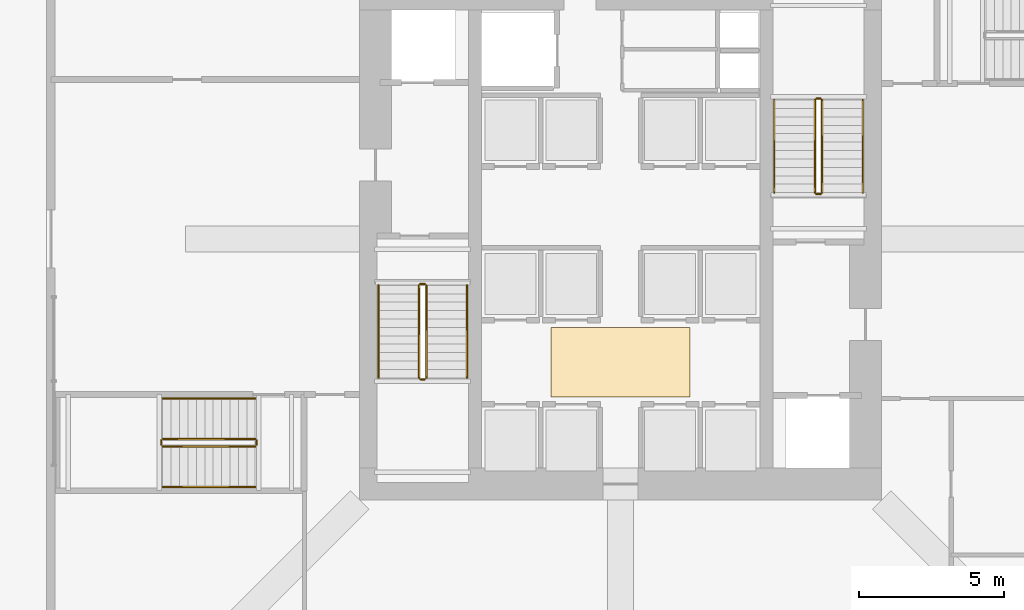
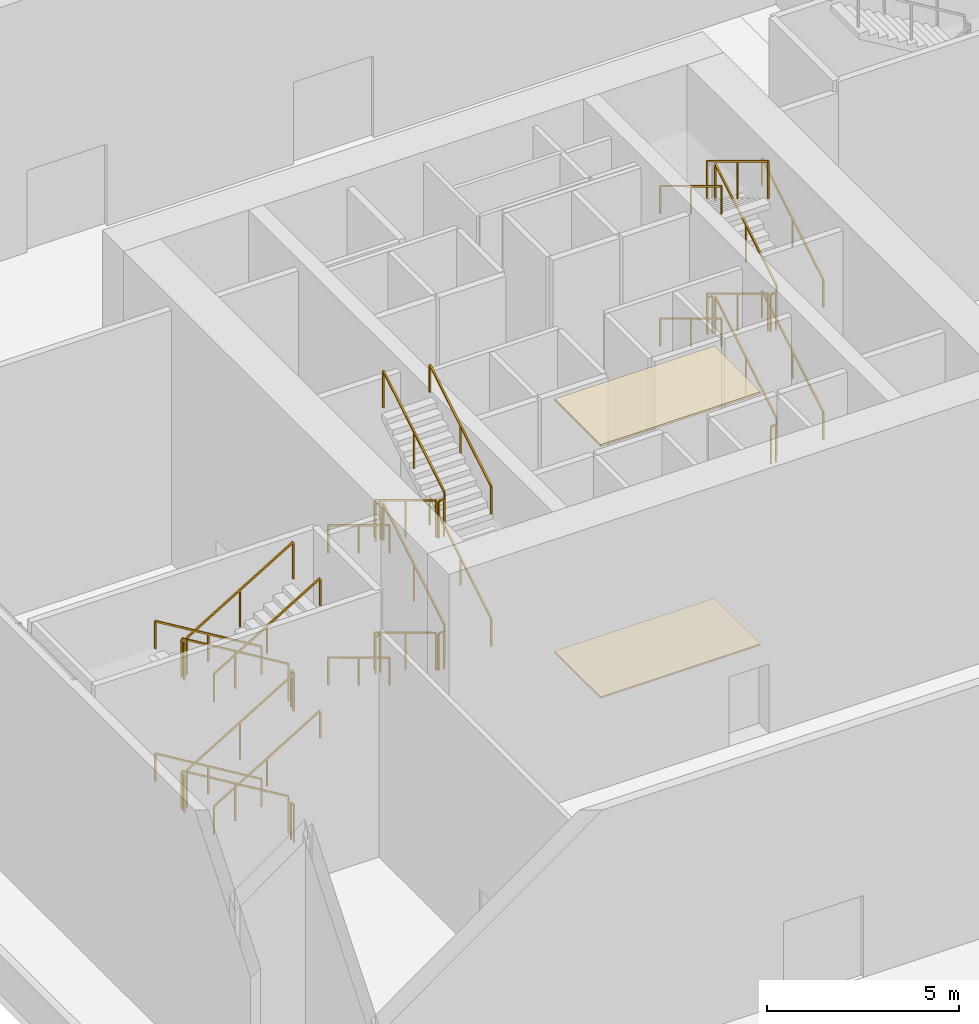
# One storey, part 10 of 12: 35 railings, 2 coverings.
"""IFC4 building model written with IfcOpenShell, lengths in metres."""

from ifc_helpers import new_model, si_unit, direction, frame, origin, origin_2d, place, context, subcontext, project, spatial, polyline, rectangle, outline, extrude, material, layer, layer_set, type_object, element, save


model = new_model("IFC4")

# Units and contexts
model_context = context("Model", 3, precision=1e-05, world=origin(), true_north=direction((0.0, 1.0)))
body_context = subcontext(model_context, "Body", "Model", "MODEL_VIEW")
ifc_project = project(units=[si_unit("LENGTHUNIT", "METRE"), si_unit("AREAUNIT", "SQUARE_METRE"), si_unit("VOLUMEUNIT", "CUBIC_METRE"), si_unit("PLANEANGLEUNIT", "RADIAN"), si_unit("MASSUNIT", "GRAM", prefix="KILO")], contexts=[model_context])

# Site, building, storey
site_placement = place(None, origin())
site = spatial("IfcSite", under=ifc_project, at=site_placement, CompositionType="ELEMENT")
building_placement = place(site_placement, origin())
building = spatial("IfcBuilding", under=site, at=building_placement, Name="Belovzor Exchange Tower", CompositionType="ELEMENT")
storey_placement = place(building_placement, origin())
storey = spatial("IfcBuildingStorey", under=building, at=storey_placement, Name="L01", CompositionType="ELEMENT", Elevation=0.0)

# Railings
ifc_material_1 = material(Name="Stainless Steel Grade 304", Category="steel")
railing_type_1 = type_object("IfcRailingType", Name="Brushed Stainless Steel Stair Handrail 900", PredefinedType="HANDRAIL", material=ifc_material_1)
railing_1_placement = place(storey_placement, frame((20.449951171875, 27.199951171875, 0.175048828125)))
element("IfcRailing", 1, at=railing_1_placement, inside=storey, type_object=railing_type_1, Name="L01 ST-1 stair handrail 1", PredefinedType="HANDRAIL", context=body_context, shape_type="SweptSolid", body=[
    extrude(rectangle(XDim=0.048095703125, YDim=0.048095703125, at=origin_2d()), frame((0.0, 0.0, 0.8759765625), z_axis=(0.0, -0.856177665481, 0.516681531633), x_axis=(1.0, 0.0, 0.0)), (0.0, 0.0, 1.0), 3.725830078125),
    extrude(rectangle(XDim=0.0419921875, YDim=0.0419921875, at=origin_2d()), origin(), (0.0, 0.0, 1.0), 0.851806640625),
    extrude(rectangle(XDim=0.0419921875, YDim=0.0419921875, at=origin_2d()), frame((0.0, -1.594970703125, 0.96240234375)), (0.0, 0.0, 1.0), 0.851806640625),
    extrude(rectangle(XDim=0.0419921875, YDim=0.0419921875, at=origin_2d()), frame((0.0, -3.18994140625, 1.925048828125)), (0.0, 0.0, 1.0), 0.851806640625),
])
railing_2_placement = place(storey_placement, frame((23.5, 24.010009765625, 2.27490234375)))
element("IfcRailing", 2, at=railing_2_placement, inside=storey, type_object=railing_type_1, Name="L01 ST-1 stair handrail 2", PredefinedType="HANDRAIL", context=body_context, shape_type="SweptSolid", body=[
    extrude(rectangle(XDim=0.048095703125, YDim=0.048095703125, at=origin_2d()), frame((0.0, 0.0, 0.8759765625), z_axis=(0.0, 0.856177665481, 0.516681531633), x_axis=(-1.0, 0.0, 0.0)), (0.0, 0.0, 1.0), 3.725830078125),
    extrude(rectangle(XDim=0.0419921875, YDim=0.0419921875, at=origin_2d()), origin(), (0.0, 0.0, 1.0), 0.851806640625),
    extrude(rectangle(XDim=0.0419921875, YDim=0.0419921875, at=origin_2d()), frame((0.0, 1.594970703125, 0.96240234375)), (0.0, 0.0, 1.0), 0.851806640625),
    extrude(rectangle(XDim=0.0419921875, YDim=0.0419921875, at=origin_2d()), frame((0.0, 3.18994140625, 1.925048828125)), (0.0, 0.0, 1.0), 0.851806640625),
])
railing_3_placement = place(storey_placement, frame((20.449951171875, 27.199951171875, 4.375)))
element("IfcRailing", 3, at=railing_3_placement, inside=storey, type_object=railing_type_1, Name="L01 ST-1 stair handrail 3", PredefinedType="HANDRAIL", context=body_context, shape_type="SweptSolid", body=[
    extrude(rectangle(XDim=0.048095703125, YDim=0.048095703125, at=origin_2d()), frame((0.0, 0.0, 0.8759765625), z_axis=(0.0, -0.856177665481, 0.516681531633), x_axis=(1.0, 0.0, 0.0)), (0.0, 0.0, 1.0), 3.725830078125),
    extrude(rectangle(XDim=0.0419921875, YDim=0.0419921875, at=origin_2d()), origin(), (0.0, 0.0, 1.0), 0.851806640625),
    extrude(rectangle(XDim=0.0419921875, YDim=0.0419921875, at=origin_2d()), frame((0.0, -1.594970703125, 0.96240234375)), (0.0, 0.0, 1.0), 0.851806640625),
    extrude(rectangle(XDim=0.0419921875, YDim=0.0419921875, at=origin_2d()), frame((0.0, -3.18994140625, 1.925048828125)), (0.0, 0.0, 1.0), 0.851806640625),
])
railing_4_placement = place(storey_placement, frame((23.5, 24.010009765625, 6.47509765625)))
element("IfcRailing", 4, at=railing_4_placement, inside=storey, type_object=railing_type_1, Name="L01 ST-1 stair handrail 4", PredefinedType="HANDRAIL", context=body_context, shape_type="SweptSolid", body=[
    extrude(rectangle(XDim=0.048095703125, YDim=0.048095703125, at=origin_2d()), frame((0.0, 0.0, 0.8759765625), z_axis=(0.0, 0.856206652436, 0.516633495163), x_axis=(-1.0, 0.0, 0.0)), (0.0, 0.0, 1.0), 3.7255859375),
    extrude(rectangle(XDim=0.0419921875, YDim=0.0419921875, at=origin_2d()), origin(), (0.0, 0.0, 1.0), 0.851806640625),
    extrude(rectangle(XDim=0.0419921875, YDim=0.0419921875, at=origin_2d()), frame((0.0, 1.594970703125, 0.96240234375)), (0.0, 0.0, 1.0), 0.851806640625),
    extrude(rectangle(XDim=0.0419921875, YDim=0.0419921875, at=origin_2d()), frame((0.0, 3.18994140625, 1.9248046875)), (0.0, 0.0, 1.0), 0.851806640625),
])
railing_5_placement = place(storey_placement, frame((37.14990234375, 30.39990234375, 0.175048828125)))
element("IfcRailing", 5, at=railing_5_placement, inside=storey, type_object=railing_type_1, Name="L01 ST-2 stair handrail 1", PredefinedType="HANDRAIL", context=body_context, shape_type="SweptSolid", body=[
    extrude(rectangle(XDim=0.048095703125, YDim=0.048095703125, at=origin_2d()), frame((0.0, 0.0, 0.8759765625), z_axis=(0.0, 0.856195157123, 0.516652545643), x_axis=(-1.0, 0.0, 0.0)), (0.0, 0.0, 1.0), 3.72607421875),
    extrude(rectangle(XDim=0.0419921875, YDim=0.0419921875, at=origin_2d()), origin(), (0.0, 0.0, 1.0), 0.851806640625),
    extrude(rectangle(XDim=0.0419921875, YDim=0.0419921875, at=origin_2d()), frame((0.0, 1.59521484375, 0.96240234375)), (0.0, 0.0, 1.0), 0.851806640625),
    extrude(rectangle(XDim=0.0419921875, YDim=0.0419921875, at=origin_2d()), frame((0.0, 3.190185546875, 1.925048828125)), (0.0, 0.0, 1.0), 0.851806640625),
])
railing_6_placement = place(storey_placement, frame((34.10009765625, 33.590087890625, 2.27490234375)))
element("IfcRailing", 6, at=railing_6_placement, inside=storey, type_object=railing_type_1, Name="L01 ST-2 stair handrail 2", PredefinedType="HANDRAIL", context=body_context, shape_type="SweptSolid", body=[
    extrude(rectangle(XDim=0.048095703125, YDim=0.048095703125, at=origin_2d()), frame((0.0, 0.0, 0.8759765625), z_axis=(0.0, -0.856195157123, 0.516652545643), x_axis=(1.0, 0.0, 0.0)), (0.0, 0.0, 1.0), 3.72607421875),
    extrude(rectangle(XDim=0.0419921875, YDim=0.0419921875, at=origin_2d()), origin(), (0.0, 0.0, 1.0), 0.851806640625),
    extrude(rectangle(XDim=0.0419921875, YDim=0.0419921875, at=origin_2d()), frame((0.0, -1.59521484375, 0.96240234375)), (0.0, 0.0, 1.0), 0.851806640625),
    extrude(rectangle(XDim=0.0419921875, YDim=0.0419921875, at=origin_2d()), frame((0.0, -3.190185546875, 1.925048828125)), (0.0, 0.0, 1.0), 0.851806640625),
])
railing_7_placement = place(storey_placement, frame((37.14990234375, 30.39990234375, 4.375)))
element("IfcRailing", 7, at=railing_7_placement, inside=storey, type_object=railing_type_1, Name="L01 ST-2 stair handrail 3", PredefinedType="HANDRAIL", context=body_context, shape_type="SweptSolid", body=[
    extrude(rectangle(XDim=0.048095703125, YDim=0.048095703125, at=origin_2d()), frame((0.0, 0.0, 0.8759765625), z_axis=(0.0, 0.856195157123, 0.516652545643), x_axis=(-1.0, 0.0, 0.0)), (0.0, 0.0, 1.0), 3.72607421875),
    extrude(rectangle(XDim=0.0419921875, YDim=0.0419921875, at=origin_2d()), origin(), (0.0, 0.0, 1.0), 0.851806640625),
    extrude(rectangle(XDim=0.0419921875, YDim=0.0419921875, at=origin_2d()), frame((0.0, 1.59521484375, 0.96240234375)), (0.0, 0.0, 1.0), 0.851806640625),
    extrude(rectangle(XDim=0.0419921875, YDim=0.0419921875, at=origin_2d()), frame((0.0, 3.190185546875, 1.925048828125)), (0.0, 0.0, 1.0), 0.851806640625),
])
railing_8_placement = place(storey_placement, frame((34.10009765625, 33.590087890625, 6.47509765625)))
element("IfcRailing", 8, at=railing_8_placement, inside=storey, type_object=railing_type_1, Name="L01 ST-2 stair handrail 4", PredefinedType="HANDRAIL", context=body_context, shape_type="SweptSolid", body=[
    extrude(rectangle(XDim=0.048095703125, YDim=0.048095703125, at=origin_2d()), frame((0.0, 0.0, 0.8759765625), z_axis=(0.0, -0.856224141417, 0.516604509905), x_axis=(1.0, 0.0, 0.0)), (0.0, 0.0, 1.0), 3.725830078125),
    extrude(rectangle(XDim=0.0419921875, YDim=0.0419921875, at=origin_2d()), origin(), (0.0, 0.0, 1.0), 0.851806640625),
    extrude(rectangle(XDim=0.0419921875, YDim=0.0419921875, at=origin_2d()), frame((0.0, -1.59521484375, 0.96240234375)), (0.0, 0.0, 1.0), 0.851806640625),
    extrude(rectangle(XDim=0.0419921875, YDim=0.0419921875, at=origin_2d()), frame((0.0, -3.190185546875, 1.9248046875)), (0.0, 0.0, 1.0), 0.851806640625),
])
railing_9_placement = place(storey_placement, frame((16.199951171875, 23.300048828125, 0.175048828125)))
element("IfcRailing", 9, at=railing_9_placement, inside=storey, type_object=railing_type_1, Name="L01 ST-3 stair handrail 1", PredefinedType="HANDRAIL", context=body_context, shape_type="SweptSolid", body=[
    extrude(rectangle(XDim=0.048095703125, YDim=0.048095703125, at=origin_2d()), frame((0.0, 0.0, 0.8759765625), z_axis=(-0.856177665481, 0.0, 0.516681531633), x_axis=(0.0, -1.0, 0.0)), (0.0, 0.0, 1.0), 3.725830078125),
    extrude(rectangle(XDim=0.0419921875, YDim=0.0419921875, at=origin_2d()), origin(), (0.0, 0.0, 1.0), 0.851806640625),
    extrude(rectangle(XDim=0.0419921875, YDim=0.0419921875, at=origin_2d()), frame((-1.594970703125, 0.0, 0.96240234375)), (0.0, 0.0, 1.0), 0.851806640625),
    extrude(rectangle(XDim=0.0419921875, YDim=0.0419921875, at=origin_2d()), frame((-3.18994140625, 0.0, 1.925048828125)), (0.0, 0.0, 1.0), 0.851806640625),
])
railing_10_placement = place(storey_placement, frame((13.010009765625, 20.25, 2.27490234375)))
element("IfcRailing", 10, at=railing_10_placement, inside=storey, type_object=railing_type_1, Name="L01 ST-3 stair handrail 2", PredefinedType="HANDRAIL", context=body_context, shape_type="SweptSolid", body=[
    extrude(rectangle(XDim=0.048095703125, YDim=0.048095703125, at=origin_2d()), frame((0.0, 0.0, 0.8759765625), z_axis=(0.856177665481, 0.0, 0.516681531633), x_axis=(0.0, 1.0, 0.0)), (0.0, 0.0, 1.0), 3.725830078125),
    extrude(rectangle(XDim=0.0419921875, YDim=0.0419921875, at=origin_2d()), origin(), (0.0, 0.0, 1.0), 0.851806640625),
    extrude(rectangle(XDim=0.0419921875, YDim=0.0419921875, at=origin_2d()), frame((1.594970703125, 0.0, 0.96240234375)), (0.0, 0.0, 1.0), 0.851806640625),
    extrude(rectangle(XDim=0.0419921875, YDim=0.0419921875, at=origin_2d()), frame((3.18994140625, 0.0, 1.925048828125)), (0.0, 0.0, 1.0), 0.851806640625),
])
railing_11_placement = place(storey_placement, frame((16.199951171875, 23.300048828125, 4.375)))
element("IfcRailing", 11, at=railing_11_placement, inside=storey, type_object=railing_type_1, Name="L01 ST-3 stair handrail 3", PredefinedType="HANDRAIL", context=body_context, shape_type="SweptSolid", body=[
    extrude(rectangle(XDim=0.048095703125, YDim=0.048095703125, at=origin_2d()), frame((0.0, 0.0, 0.8759765625), z_axis=(-0.856177665481, 0.0, 0.516681531633), x_axis=(0.0, -1.0, 0.0)), (0.0, 0.0, 1.0), 3.725830078125),
    extrude(rectangle(XDim=0.0419921875, YDim=0.0419921875, at=origin_2d()), origin(), (0.0, 0.0, 1.0), 0.851806640625),
    extrude(rectangle(XDim=0.0419921875, YDim=0.0419921875, at=origin_2d()), frame((-1.594970703125, 0.0, 0.96240234375)), (0.0, 0.0, 1.0), 0.851806640625),
    extrude(rectangle(XDim=0.0419921875, YDim=0.0419921875, at=origin_2d()), frame((-3.18994140625, 0.0, 1.925048828125)), (0.0, 0.0, 1.0), 0.851806640625),
])
railing_12_placement = place(storey_placement, frame((13.010009765625, 20.25, 6.47509765625)))
element("IfcRailing", 12, at=railing_12_placement, inside=storey, type_object=railing_type_1, Name="L01 ST-3 stair handrail 4", PredefinedType="HANDRAIL", context=body_context, shape_type="SweptSolid", body=[
    extrude(rectangle(XDim=0.048095703125, YDim=0.048095703125, at=origin_2d()), frame((0.0, 0.0, 0.8759765625), z_axis=(0.856206652436, 0.0, 0.516633495163), x_axis=(0.0, 1.0, 0.0)), (0.0, 0.0, 1.0), 3.7255859375),
    extrude(rectangle(XDim=0.0419921875, YDim=0.0419921875, at=origin_2d()), origin(), (0.0, 0.0, 1.0), 0.851806640625),
    extrude(rectangle(XDim=0.0419921875, YDim=0.0419921875, at=origin_2d()), frame((1.594970703125, 0.0, 0.96240234375)), (0.0, 0.0, 1.0), 0.851806640625),
    extrude(rectangle(XDim=0.0419921875, YDim=0.0419921875, at=origin_2d()), frame((3.18994140625, 0.0, 1.9248046875)), (0.0, 0.0, 1.0), 0.851806640625),
])
ifc_material_2 = material(Name="Steel S355", Category="steel")
railing_type_2 = type_object("IfcRailingType", Name="Painted Steel Stairwell Guardrail 1200", PredefinedType="GUARDRAIL", material=ifc_material_2)
railing_13_placement = place(storey_placement, frame((21.85009765625, 27.199951171875, 0.175048828125)))
element("IfcRailing", 13, at=railing_13_placement, inside=storey, type_object=railing_type_2, Name="L01 ST-1 stair guard 1", PredefinedType="GUARDRAIL", context=body_context, shape_type="SweptSolid", body=[
    extrude(rectangle(XDim=0.048095703125, YDim=0.048095703125, at=origin_2d()), frame((0.0, 0.0, 1.17578125), z_axis=(0.0, -0.856177665481, 0.516681531633), x_axis=(1.0, 0.0, 0.0)), (0.0, 0.0, 1.0), 3.725830078125),
    extrude(rectangle(XDim=0.0419921875, YDim=0.0419921875, at=origin_2d()), origin(), (0.0, 0.0, 1.0), 1.15185546875),
    extrude(rectangle(XDim=0.0419921875, YDim=0.0419921875, at=origin_2d()), frame((0.0, -1.594970703125, 0.96240234375)), (0.0, 0.0, 1.0), 1.15185546875),
    extrude(rectangle(XDim=0.0419921875, YDim=0.0419921875, at=origin_2d()), frame((0.0, -3.18994140625, 1.925048828125)), (0.0, 0.0, 1.0), 1.15185546875),
])
railing_14_placement = place(storey_placement, frame((21.89990234375, 23.9599609375, 2.10009765625)))
element("IfcRailing", 14, at=railing_14_placement, inside=storey, type_object=railing_type_2, Name="L01 ST-1 stair guard 2", PredefinedType="GUARDRAIL", context=body_context, shape_type="SweptSolid", body=[
    extrude(rectangle(XDim=0.048095703125, YDim=0.048095703125, at=origin_2d()), frame((0.0, 0.0, 1.17578125), z_axis=(1.0, 0.0, 0.0), x_axis=(0.0, 1.0, 0.0)), (0.0, 0.0, 1.0), 0.150146484375),
    extrude(rectangle(XDim=0.0419921875, YDim=0.0419921875, at=origin_2d()), origin(), (0.0, 0.0, 1.0), 1.15185546875),
    extrude(rectangle(XDim=0.0419921875, YDim=0.0419921875, at=origin_2d()), frame((0.150146484375, 0.0, 0.0)), (0.0, 0.0, 1.0), 1.15185546875),
])
railing_15_placement = place(storey_placement, frame((22.10009765625, 24.010009765625, 2.27490234375)))
element("IfcRailing", 15, at=railing_15_placement, inside=storey, type_object=railing_type_2, Name="L01 ST-1 stair guard 3", PredefinedType="GUARDRAIL", context=body_context, shape_type="SweptSolid", body=[
    extrude(rectangle(XDim=0.048095703125, YDim=0.048095703125, at=origin_2d()), frame((0.0, 0.0, 1.17578125), z_axis=(0.0, 0.856177665481, 0.516681531633), x_axis=(-1.0, 0.0, 0.0)), (0.0, 0.0, 1.0), 3.725830078125),
    extrude(rectangle(XDim=0.0419921875, YDim=0.0419921875, at=origin_2d()), origin(), (0.0, 0.0, 1.0), 1.15185546875),
    extrude(rectangle(XDim=0.0419921875, YDim=0.0419921875, at=origin_2d()), frame((0.0, 1.594970703125, 0.96240234375)), (0.0, 0.0, 1.0), 1.15185546875),
    extrude(rectangle(XDim=0.0419921875, YDim=0.0419921875, at=origin_2d()), frame((0.0, 3.18994140625, 1.925048828125)), (0.0, 0.0, 1.0), 1.15185546875),
])
railing_16_placement = place(storey_placement, frame((21.89990234375, 27.25, 4.199951171875)))
element("IfcRailing", 16, at=railing_16_placement, inside=storey, type_object=railing_type_2, Name="L01 ST-1 stair guard 4", PredefinedType="GUARDRAIL", context=body_context, shape_type="SweptSolid", body=[
    extrude(rectangle(XDim=0.048095703125, YDim=0.048095703125, at=origin_2d()), frame((0.0, 0.0, 1.17578125), z_axis=(1.0, 0.0, 0.0), x_axis=(0.0, 1.0, 0.0)), (0.0, 0.0, 1.0), 0.150146484375),
    extrude(rectangle(XDim=0.0419921875, YDim=0.0419921875, at=origin_2d()), origin(), (0.0, 0.0, 1.0), 1.15185546875),
    extrude(rectangle(XDim=0.0419921875, YDim=0.0419921875, at=origin_2d()), frame((0.150146484375, 0.0, 0.0)), (0.0, 0.0, 1.0), 1.15185546875),
])
railing_17_placement = place(storey_placement, frame((21.85009765625, 27.199951171875, 4.375)))
element("IfcRailing", 17, at=railing_17_placement, inside=storey, type_object=railing_type_2, Name="L01 ST-1 stair guard 5", PredefinedType="GUARDRAIL", context=body_context, shape_type="SweptSolid", body=[
    extrude(rectangle(XDim=0.048095703125, YDim=0.048095703125, at=origin_2d()), frame((0.0, 0.0, 1.17578125), z_axis=(0.0, -0.856177665481, 0.516681531633), x_axis=(1.0, 0.0, 0.0)), (0.0, 0.0, 1.0), 3.725830078125),
    extrude(rectangle(XDim=0.0419921875, YDim=0.0419921875, at=origin_2d()), origin(), (0.0, 0.0, 1.0), 1.15185546875),
    extrude(rectangle(XDim=0.0419921875, YDim=0.0419921875, at=origin_2d()), frame((0.0, -1.594970703125, 0.96240234375)), (0.0, 0.0, 1.0), 1.15185546875),
    extrude(rectangle(XDim=0.0419921875, YDim=0.0419921875, at=origin_2d()), frame((0.0, -3.18994140625, 1.925048828125)), (0.0, 0.0, 1.0), 1.15185546875),
])
railing_18_placement = place(storey_placement, frame((21.89990234375, 23.9599609375, 6.300048828125)))
element("IfcRailing", 18, at=railing_18_placement, inside=storey, type_object=railing_type_2, Name="L01 ST-1 stair guard 6", PredefinedType="GUARDRAIL", context=body_context, shape_type="SweptSolid", body=[
    extrude(rectangle(XDim=0.048095703125, YDim=0.048095703125, at=origin_2d()), frame((0.0, 0.0, 1.17578125), z_axis=(1.0, 0.0, 0.0), x_axis=(0.0, 1.0, 0.0)), (0.0, 0.0, 1.0), 0.150146484375),
    extrude(rectangle(XDim=0.0419921875, YDim=0.0419921875, at=origin_2d()), origin(), (0.0, 0.0, 1.0), 1.15185546875),
    extrude(rectangle(XDim=0.0419921875, YDim=0.0419921875, at=origin_2d()), frame((0.150146484375, 0.0, 0.0)), (0.0, 0.0, 1.0), 1.15185546875),
])
railing_19_placement = place(storey_placement, frame((22.10009765625, 24.010009765625, 6.47509765625)))
element("IfcRailing", 19, at=railing_19_placement, inside=storey, type_object=railing_type_2, Name="L01 ST-1 stair guard 7", PredefinedType="GUARDRAIL", context=body_context, shape_type="SweptSolid", body=[
    extrude(rectangle(XDim=0.048095703125, YDim=0.048095703125, at=origin_2d()), frame((0.0, 0.0, 1.17578125), z_axis=(0.0, 0.856206652436, 0.516633495163), x_axis=(-1.0, 0.0, 0.0)), (0.0, 0.0, 1.0), 3.7255859375),
    extrude(rectangle(XDim=0.0419921875, YDim=0.0419921875, at=origin_2d()), origin(), (0.0, 0.0, 1.0), 1.15185546875),
    extrude(rectangle(XDim=0.0419921875, YDim=0.0419921875, at=origin_2d()), frame((0.0, 1.594970703125, 0.96240234375)), (0.0, 0.0, 1.0), 1.15185546875),
    extrude(rectangle(XDim=0.0419921875, YDim=0.0419921875, at=origin_2d()), frame((0.0, 3.18994140625, 1.9248046875)), (0.0, 0.0, 1.0), 1.15185546875),
])
railing_20_placement = place(storey_placement, frame((21.89990234375, 27.25, 0.0)))
element("IfcRailing", 20, at=railing_20_placement, inside=storey, type_object=railing_type_2, Name="L01 ST-1 stair guard 8", PredefinedType="GUARDRAIL", context=body_context, shape_type="SweptSolid", body=[
    extrude(rectangle(XDim=0.048095703125, YDim=0.048095703125, at=origin_2d()), frame((0.0, 0.0, 1.17578125), z_axis=(1.0, 0.0, 0.0), x_axis=(0.0, 1.0, 0.0)), (0.0, 0.0, 1.0), 0.150146484375),
    extrude(rectangle(XDim=0.0419921875, YDim=0.0419921875, at=origin_2d()), origin(), (0.0, 0.0, 1.0), 1.15185546875),
    extrude(rectangle(XDim=0.0419921875, YDim=0.0419921875, at=origin_2d()), frame((0.150146484375, 0.0, 0.0)), (0.0, 0.0, 1.0), 1.15185546875),
])
railing_21_placement = place(storey_placement, frame((35.75, 30.39990234375, 0.175048828125)))
element("IfcRailing", 21, at=railing_21_placement, inside=storey, type_object=railing_type_2, Name="L01 ST-2 stair guard 1", PredefinedType="GUARDRAIL", context=body_context, shape_type="SweptSolid", body=[
    extrude(rectangle(XDim=0.048095703125, YDim=0.048095703125, at=origin_2d()), frame((0.0, 0.0, 1.17578125), z_axis=(0.0, 0.856195157123, 0.516652545643), x_axis=(-1.0, 0.0, 0.0)), (0.0, 0.0, 1.0), 3.72607421875),
    extrude(rectangle(XDim=0.0419921875, YDim=0.0419921875, at=origin_2d()), origin(), (0.0, 0.0, 1.0), 1.15185546875),
    extrude(rectangle(XDim=0.0419921875, YDim=0.0419921875, at=origin_2d()), frame((0.0, 1.59521484375, 0.96240234375)), (0.0, 0.0, 1.0), 1.15185546875),
    extrude(rectangle(XDim=0.0419921875, YDim=0.0419921875, at=origin_2d()), frame((0.0, 3.190185546875, 1.925048828125)), (0.0, 0.0, 1.0), 1.15185546875),
])
railing_22_placement = place(storey_placement, frame((35.699951171875, 33.639892578125, 2.10009765625)))
element("IfcRailing", 22, at=railing_22_placement, inside=storey, type_object=railing_type_2, Name="L01 ST-2 stair guard 2", PredefinedType="GUARDRAIL", context=body_context, shape_type="SweptSolid", body=[
    extrude(rectangle(XDim=0.048095703125, YDim=0.048095703125, at=origin_2d()), frame((0.0, 0.0, 1.17578125), z_axis=(-1.0, 0.0, 0.0), x_axis=(0.0, -1.0, 0.0)), (0.0, 0.0, 1.0), 0.14990234375),
    extrude(rectangle(XDim=0.0419921875, YDim=0.0419921875, at=origin_2d()), origin(), (0.0, 0.0, 1.0), 1.15185546875),
    extrude(rectangle(XDim=0.0419921875, YDim=0.0419921875, at=origin_2d()), frame((-0.14990234375, 0.0, 0.0)), (0.0, 0.0, 1.0), 1.15185546875),
])
railing_23_placement = place(storey_placement, frame((35.5, 33.590087890625, 2.27490234375)))
element("IfcRailing", 23, at=railing_23_placement, inside=storey, type_object=railing_type_2, Name="L01 ST-2 stair guard 3", PredefinedType="GUARDRAIL", context=body_context, shape_type="SweptSolid", body=[
    extrude(rectangle(XDim=0.048095703125, YDim=0.048095703125, at=origin_2d()), frame((0.0, 0.0, 1.17578125), z_axis=(0.0, -0.856195157123, 0.516652545643), x_axis=(1.0, 0.0, 0.0)), (0.0, 0.0, 1.0), 3.72607421875),
    extrude(rectangle(XDim=0.0419921875, YDim=0.0419921875, at=origin_2d()), origin(), (0.0, 0.0, 1.0), 1.15185546875),
    extrude(rectangle(XDim=0.0419921875, YDim=0.0419921875, at=origin_2d()), frame((0.0, -1.59521484375, 0.96240234375)), (0.0, 0.0, 1.0), 1.15185546875),
    extrude(rectangle(XDim=0.0419921875, YDim=0.0419921875, at=origin_2d()), frame((0.0, -3.190185546875, 1.925048828125)), (0.0, 0.0, 1.0), 1.15185546875),
])
railing_24_placement = place(storey_placement, frame((35.699951171875, 30.35009765625, 4.199951171875)))
element("IfcRailing", 24, at=railing_24_placement, inside=storey, type_object=railing_type_2, Name="L01 ST-2 stair guard 4", PredefinedType="GUARDRAIL", context=body_context, shape_type="SweptSolid", body=[
    extrude(rectangle(XDim=0.048095703125, YDim=0.048095703125, at=origin_2d()), frame((0.0, 0.0, 1.17578125), z_axis=(-1.0, 0.0, 0.0), x_axis=(0.0, -1.0, 0.0)), (0.0, 0.0, 1.0), 0.14990234375),
    extrude(rectangle(XDim=0.0419921875, YDim=0.0419921875, at=origin_2d()), origin(), (0.0, 0.0, 1.0), 1.15185546875),
    extrude(rectangle(XDim=0.0419921875, YDim=0.0419921875, at=origin_2d()), frame((-0.14990234375, 0.0, 0.0)), (0.0, 0.0, 1.0), 1.15185546875),
])
railing_25_placement = place(storey_placement, frame((35.75, 30.39990234375, 4.375)))
element("IfcRailing", 25, at=railing_25_placement, inside=storey, type_object=railing_type_2, Name="L01 ST-2 stair guard 5", PredefinedType="GUARDRAIL", context=body_context, shape_type="SweptSolid", body=[
    extrude(rectangle(XDim=0.048095703125, YDim=0.048095703125, at=origin_2d()), frame((0.0, 0.0, 1.17578125), z_axis=(0.0, 0.856195157123, 0.516652545643), x_axis=(-1.0, 0.0, 0.0)), (0.0, 0.0, 1.0), 3.72607421875),
    extrude(rectangle(XDim=0.0419921875, YDim=0.0419921875, at=origin_2d()), origin(), (0.0, 0.0, 1.0), 1.15185546875),
    extrude(rectangle(XDim=0.0419921875, YDim=0.0419921875, at=origin_2d()), frame((0.0, 1.59521484375, 0.96240234375)), (0.0, 0.0, 1.0), 1.15185546875),
    extrude(rectangle(XDim=0.0419921875, YDim=0.0419921875, at=origin_2d()), frame((0.0, 3.190185546875, 1.925048828125)), (0.0, 0.0, 1.0), 1.15185546875),
])
railing_26_placement = place(storey_placement, frame((35.5, 33.590087890625, 6.47509765625)))
element("IfcRailing", 26, at=railing_26_placement, inside=storey, type_object=railing_type_2, Name="L01 ST-2 stair guard 7", PredefinedType="GUARDRAIL", context=body_context, shape_type="SweptSolid", body=[
    extrude(rectangle(XDim=0.048095703125, YDim=0.048095703125, at=origin_2d()), frame((0.0, 0.0, 1.17578125), z_axis=(0.0, -0.856224141417, 0.516604509905), x_axis=(1.0, 0.0, 0.0)), (0.0, 0.0, 1.0), 3.725830078125),
    extrude(rectangle(XDim=0.0419921875, YDim=0.0419921875, at=origin_2d()), origin(), (0.0, 0.0, 1.0), 1.15185546875),
    extrude(rectangle(XDim=0.0419921875, YDim=0.0419921875, at=origin_2d()), frame((0.0, -1.59521484375, 0.96240234375)), (0.0, 0.0, 1.0), 1.15185546875),
    extrude(rectangle(XDim=0.0419921875, YDim=0.0419921875, at=origin_2d()), frame((0.0, -3.190185546875, 1.9248046875)), (0.0, 0.0, 1.0), 1.15185546875),
])
railing_27_placement = place(storey_placement, frame((35.699951171875, 30.35009765625, 0.0)))
element("IfcRailing", 27, at=railing_27_placement, inside=storey, type_object=railing_type_2, Name="L01 ST-2 stair guard 8", PredefinedType="GUARDRAIL", context=body_context, shape_type="SweptSolid", body=[
    extrude(rectangle(XDim=0.048095703125, YDim=0.048095703125, at=origin_2d()), frame((0.0, 0.0, 1.17578125), z_axis=(-1.0, 0.0, 0.0), x_axis=(0.0, -1.0, 0.0)), (0.0, 0.0, 1.0), 0.14990234375),
    extrude(rectangle(XDim=0.0419921875, YDim=0.0419921875, at=origin_2d()), origin(), (0.0, 0.0, 1.0), 1.15185546875),
    extrude(rectangle(XDim=0.0419921875, YDim=0.0419921875, at=origin_2d()), frame((-0.14990234375, 0.0, 0.0)), (0.0, 0.0, 1.0), 1.15185546875),
])
railing_28_placement = place(storey_placement, frame((16.199951171875, 21.89990234375, 0.175048828125)))
element("IfcRailing", 28, at=railing_28_placement, inside=storey, type_object=railing_type_2, Name="L01 ST-3 stair guard 1", PredefinedType="GUARDRAIL", context=body_context, shape_type="SweptSolid", body=[
    extrude(rectangle(XDim=0.048095703125, YDim=0.048095703125, at=origin_2d()), frame((0.0, 0.0, 1.17578125), z_axis=(-0.856177665481, 0.0, 0.516681531633), x_axis=(0.0, -1.0, 0.0)), (0.0, 0.0, 1.0), 3.725830078125),
    extrude(rectangle(XDim=0.0419921875, YDim=0.0419921875, at=origin_2d()), origin(), (0.0, 0.0, 1.0), 1.15185546875),
    extrude(rectangle(XDim=0.0419921875, YDim=0.0419921875, at=origin_2d()), frame((-1.594970703125, 0.0, 0.96240234375)), (0.0, 0.0, 1.0), 1.15185546875),
    extrude(rectangle(XDim=0.0419921875, YDim=0.0419921875, at=origin_2d()), frame((-3.18994140625, 0.0, 1.925048828125)), (0.0, 0.0, 1.0), 1.15185546875),
])
railing_29_placement = place(storey_placement, frame((12.9599609375, 21.85009765625, 2.10009765625)))
element("IfcRailing", 29, at=railing_29_placement, inside=storey, type_object=railing_type_2, Name="L01 ST-3 stair guard 2", PredefinedType="GUARDRAIL", context=body_context, shape_type="SweptSolid", body=[
    extrude(rectangle(XDim=0.048095703125, YDim=0.048095703125, at=origin_2d()), frame((0.0, 0.0, 1.17578125), z_axis=(0.0, -1.0, 0.0), x_axis=(1.0, 0.0, 0.0)), (0.0, 0.0, 1.0), 0.150146484375),
    extrude(rectangle(XDim=0.0419921875, YDim=0.0419921875, at=origin_2d()), origin(), (0.0, 0.0, 1.0), 1.15185546875),
    extrude(rectangle(XDim=0.0419921875, YDim=0.0419921875, at=origin_2d()), frame((0.0, -0.150146484375, 0.0)), (0.0, 0.0, 1.0), 1.15185546875),
])
railing_30_placement = place(storey_placement, frame((13.010009765625, 21.64990234375, 2.27490234375)))
element("IfcRailing", 30, at=railing_30_placement, inside=storey, type_object=railing_type_2, Name="L01 ST-3 stair guard 3", PredefinedType="GUARDRAIL", context=body_context, shape_type="SweptSolid", body=[
    extrude(rectangle(XDim=0.048095703125, YDim=0.048095703125, at=origin_2d()), frame((0.0, 0.0, 1.17578125), z_axis=(0.856177665481, 0.0, 0.516681531633), x_axis=(0.0, 1.0, 0.0)), (0.0, 0.0, 1.0), 3.725830078125),
    extrude(rectangle(XDim=0.0419921875, YDim=0.0419921875, at=origin_2d()), origin(), (0.0, 0.0, 1.0), 1.15185546875),
    extrude(rectangle(XDim=0.0419921875, YDim=0.0419921875, at=origin_2d()), frame((1.594970703125, 0.0, 0.96240234375)), (0.0, 0.0, 1.0), 1.15185546875),
    extrude(rectangle(XDim=0.0419921875, YDim=0.0419921875, at=origin_2d()), frame((3.18994140625, 0.0, 1.925048828125)), (0.0, 0.0, 1.0), 1.15185546875),
])
railing_31_placement = place(storey_placement, frame((16.25, 21.85009765625, 4.199951171875)))
element("IfcRailing", 31, at=railing_31_placement, inside=storey, type_object=railing_type_2, Name="L01 ST-3 stair guard 4", PredefinedType="GUARDRAIL", context=body_context, shape_type="SweptSolid", body=[
    extrude(rectangle(XDim=0.048095703125, YDim=0.048095703125, at=origin_2d()), frame((0.0, 0.0, 1.17578125), z_axis=(0.0, -1.0, 0.0), x_axis=(1.0, 0.0, 0.0)), (0.0, 0.0, 1.0), 0.150146484375),
    extrude(rectangle(XDim=0.0419921875, YDim=0.0419921875, at=origin_2d()), origin(), (0.0, 0.0, 1.0), 1.15185546875),
    extrude(rectangle(XDim=0.0419921875, YDim=0.0419921875, at=origin_2d()), frame((0.0, -0.150146484375, 0.0)), (0.0, 0.0, 1.0), 1.15185546875),
])
railing_32_placement = place(storey_placement, frame((16.199951171875, 21.89990234375, 4.375)))
element("IfcRailing", 32, at=railing_32_placement, inside=storey, type_object=railing_type_2, Name="L01 ST-3 stair guard 5", PredefinedType="GUARDRAIL", context=body_context, shape_type="SweptSolid", body=[
    extrude(rectangle(XDim=0.048095703125, YDim=0.048095703125, at=origin_2d()), frame((0.0, 0.0, 1.17578125), z_axis=(-0.856177665481, 0.0, 0.516681531633), x_axis=(0.0, -1.0, 0.0)), (0.0, 0.0, 1.0), 3.725830078125),
    extrude(rectangle(XDim=0.0419921875, YDim=0.0419921875, at=origin_2d()), origin(), (0.0, 0.0, 1.0), 1.15185546875),
    extrude(rectangle(XDim=0.0419921875, YDim=0.0419921875, at=origin_2d()), frame((-1.594970703125, 0.0, 0.96240234375)), (0.0, 0.0, 1.0), 1.15185546875),
    extrude(rectangle(XDim=0.0419921875, YDim=0.0419921875, at=origin_2d()), frame((-3.18994140625, 0.0, 1.925048828125)), (0.0, 0.0, 1.0), 1.15185546875),
])
railing_33_placement = place(storey_placement, frame((12.9599609375, 21.85009765625, 6.300048828125)))
element("IfcRailing", 33, at=railing_33_placement, inside=storey, type_object=railing_type_2, Name="L01 ST-3 stair guard 6", PredefinedType="GUARDRAIL", context=body_context, shape_type="SweptSolid", body=[
    extrude(rectangle(XDim=0.048095703125, YDim=0.048095703125, at=origin_2d()), frame((0.0, 0.0, 1.17578125), z_axis=(0.0, -1.0, 0.0), x_axis=(1.0, 0.0, 0.0)), (0.0, 0.0, 1.0), 0.150146484375),
    extrude(rectangle(XDim=0.0419921875, YDim=0.0419921875, at=origin_2d()), origin(), (0.0, 0.0, 1.0), 1.15185546875),
    extrude(rectangle(XDim=0.0419921875, YDim=0.0419921875, at=origin_2d()), frame((0.0, -0.150146484375, 0.0)), (0.0, 0.0, 1.0), 1.15185546875),
])
railing_34_placement = place(storey_placement, frame((13.010009765625, 21.64990234375, 6.47509765625)))
element("IfcRailing", 34, at=railing_34_placement, inside=storey, type_object=railing_type_2, Name="L01 ST-3 stair guard 7", PredefinedType="GUARDRAIL", context=body_context, shape_type="SweptSolid", body=[
    extrude(rectangle(XDim=0.048095703125, YDim=0.048095703125, at=origin_2d()), frame((0.0, 0.0, 1.17578125), z_axis=(0.856206652436, 0.0, 0.516633495163), x_axis=(0.0, 1.0, 0.0)), (0.0, 0.0, 1.0), 3.7255859375),
    extrude(rectangle(XDim=0.0419921875, YDim=0.0419921875, at=origin_2d()), origin(), (0.0, 0.0, 1.0), 1.15185546875),
    extrude(rectangle(XDim=0.0419921875, YDim=0.0419921875, at=origin_2d()), frame((1.594970703125, 0.0, 0.96240234375)), (0.0, 0.0, 1.0), 1.15185546875),
    extrude(rectangle(XDim=0.0419921875, YDim=0.0419921875, at=origin_2d()), frame((3.18994140625, 0.0, 1.9248046875)), (0.0, 0.0, 1.0), 1.15185546875),
])
railing_35_placement = place(storey_placement, frame((16.25, 21.85009765625, 0.0)))
element("IfcRailing", 35, at=railing_35_placement, inside=storey, type_object=railing_type_2, Name="L01 ST-3 stair guard 8", PredefinedType="GUARDRAIL", context=body_context, shape_type="SweptSolid", body=[
    extrude(rectangle(XDim=0.048095703125, YDim=0.048095703125, at=origin_2d()), frame((0.0, 0.0, 1.17578125), z_axis=(0.0, -1.0, 0.0), x_axis=(1.0, 0.0, 0.0)), (0.0, 0.0, 1.0), 0.150146484375),
    extrude(rectangle(XDim=0.0419921875, YDim=0.0419921875, at=origin_2d()), origin(), (0.0, 0.0, 1.0), 1.15185546875),
    extrude(rectangle(XDim=0.0419921875, YDim=0.0419921875, at=origin_2d()), frame((0.0, -0.150146484375, 0.0)), (0.0, 0.0, 1.0), 1.15185546875),
])

# Coverings
ifc_material_3 = material(Name="Perforated Powder-Coated Aluminium", Category="aluminium")
ifc_layer_1 = layer(ifc_material_3, 0.06005859375)
ifc_layer_set_1 = layer_set([ifc_layer_1], Name="Perforated Powder-Coated Aluminium")
covering_type_1 = type_object("IfcCoveringType", Name="Perforated Acoustic Metal Tile Suspended Ceiling 60", PredefinedType="CEILING", material=ifc_layer_set_1)
covering_1_placement = place(storey_placement, frame((0.0, 0.0, 7.989990234375)))
element("IfcCovering", 36, at=covering_1_placement, inside=storey, type_object=covering_type_1, Name="CLG-AC60 Suspended Ceiling CLG-L01-LOB", PredefinedType="CEILING", context=body_context, shape_type="SweptSolid", body=[
    extrude(outline(polyline([(26.39990234375, 23.35009765625), (31.199951171875, 23.35009765625), (31.199951171875, 25.75), (26.39990234375, 25.75), (26.39990234375, 23.35009765625)])), origin(), (0.0, 0.0, 1.0), 0.06005859375),
])
ifc_material_4 = material(Name="Polished Natural Granite Tile", Category="masonry")
ifc_layer_2 = layer(ifc_material_4, 0.050048828125)
ifc_layer_set_2 = layer_set([ifc_layer_2], Name="Polished Natural Granite Tile")
covering_type_2 = type_object("IfcCoveringType", Name="Polished Karelian Granite & Raised Access Floor Finish 50", PredefinedType="FLOORING", material=ifc_layer_set_2)
covering_2_placement = place(storey_placement, origin())
element("IfcCovering", 37, at=covering_2_placement, inside=storey, type_object=covering_type_2, Name="FLR-GR50 Floor Finish FLR-L01-LOB", PredefinedType="FLOORING", context=body_context, shape_type="SweptSolid", body=[
    extrude(outline(polyline([(26.39990234375, 23.35009765625), (31.199951171875, 23.35009765625), (31.199951171875, 25.75), (26.39990234375, 25.75), (26.39990234375, 23.35009765625)])), origin(), (0.0, 0.0, 1.0), 0.050048828125),
])

save(model, "model.ifc")
